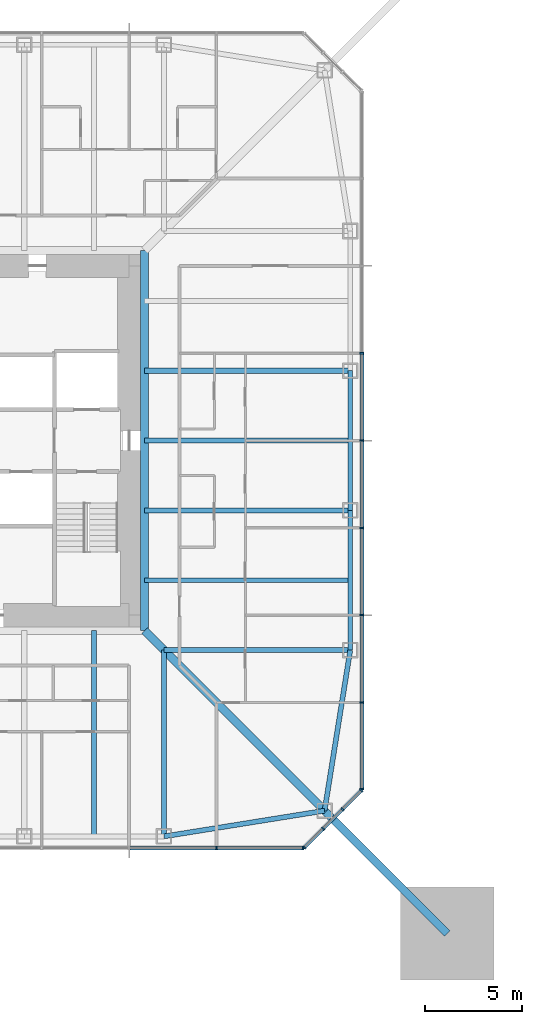
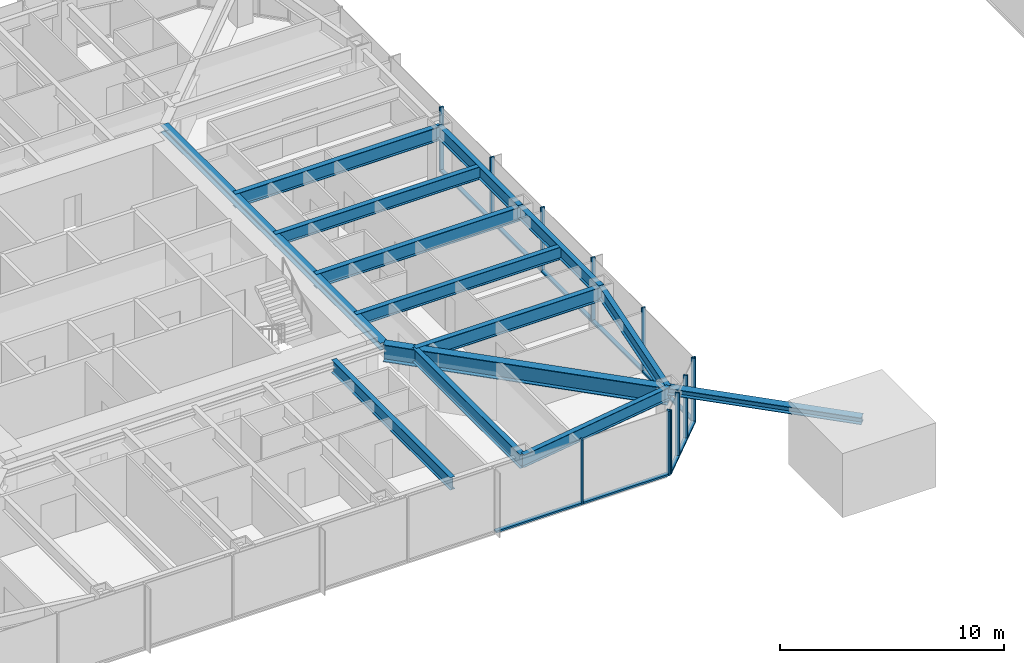
# One storey, part 5 of 25: 23 members, 13 beams, 3 elements without a shape of their own.
"""IFC4 building model written with IfcOpenShell, lengths in metres."""

from ifc_helpers import new_model, si_unit, direction, frame, origin, origin_2d, place, context, subcontext, project, spatial, rectangle, i_section, extrude, material, material_profile, profile_set, type_object, element, aggregate, save


model = new_model("IFC4")

# Units and contexts
model_context = context("Model", 3, precision=1e-05, world=origin(), true_north=direction((0.0, 1.0)))
body_context = subcontext(model_context, "Body", "Model", "MODEL_VIEW")
ifc_project = project(units=[si_unit("LENGTHUNIT", "METRE"), si_unit("AREAUNIT", "SQUARE_METRE"), si_unit("VOLUMEUNIT", "CUBIC_METRE"), si_unit("PLANEANGLEUNIT", "RADIAN"), si_unit("MASSUNIT", "GRAM", prefix="KILO")], contexts=[model_context])

# Site, building, storey
site_placement = place(None, origin())
site = spatial("IfcSite", under=ifc_project, at=site_placement, CompositionType="ELEMENT")
building_placement = place(site_placement, origin())
building = spatial("IfcBuilding", under=site, at=building_placement, Name="Iwan Alto Co-Living Towers", CompositionType="ELEMENT")
storey_placement = place(building_placement, frame((0.0, 0.0, 108.5)))
storey = spatial("IfcBuildingStorey", under=building, at=storey_placement, Name="L29", CompositionType="ELEMENT", Elevation=108.5)

# Curtain wall, members
ifc_material_1 = material(Name="Bronze aluminium unitised frame", Category="aluminium")
curtain_wall_type_1 = type_object("IfcCurtainWallType", Name="CURTAIN WALL CW-A", PredefinedType="NOTDEFINED", material=ifc_material_1)
curtain_wall_1_placement = place(storey_placement, origin())
curtain_wall_1 = element("IfcCurtainWall", 1, at=curtain_wall_1_placement, inside=storey, type_object=curtain_wall_type_1, Name="T1 curtain wall S L29", PredefinedType="NOTDEFINED")
ifc_material_2 = material(Name="Aluminium 6063-T6 bronze anodised", Category="aluminium")
ifc_material_profile_1 = material_profile(ifc_material_2, rectangle(XDim=0.199951171875, YDim=0.080078125, at=origin_2d()), Name="AL 80X200")
ifc_profile_set_1 = profile_set([ifc_material_profile_1], Name="Aluminium 6063-T6 bronze anodised")
member_type_1 = type_object("IfcMemberType", Name="CW-A MULLION 80X200", PredefinedType="MULLION", material=ifc_profile_set_1)
member_1_placement = place(storey_placement, frame((13.5, -21.0, 0.0), z_axis=(0.0, 0.0, 1.0), x_axis=(0.0, 1.0, 0.0)))
member_1 = element("IfcMember", 2, at=member_1_placement, type_object=member_type_1, Name="CW-A mullion 8", PredefinedType="MULLION", context=body_context, shape_type="SweptSolid", body=[
    extrude(rectangle(XDim=0.199951171875, YDim=0.080078125, at=origin_2d()), origin(), (0.0, 0.0, 1.0), 3.5),
])
member_2_placement = place(storey_placement, frame((17.9599609375, -21.0, 0.0), z_axis=(0.0, 0.0, 1.0), x_axis=(0.0, 1.0, 0.0)))
member_2 = element("IfcMember", 3, at=member_2_placement, type_object=member_type_1, Name="CW-A mullion 9", PredefinedType="MULLION", context=body_context, shape_type="SweptSolid", body=[
    extrude(rectangle(XDim=0.199951171875, YDim=0.080078125, at=origin_2d()), origin(), (0.0, 0.0, 1.0), 3.5),
])

curtain_wall_2_placement = place(storey_placement, origin())
curtain_wall_2 = element("IfcCurtainWall", 4, at=curtain_wall_2_placement, inside=storey, type_object=curtain_wall_type_1, Name="T1 curtain wall E L29", PredefinedType="NOTDEFINED")
member_3_placement = place(storey_placement, frame((21.0, -17.9599609375, 0.0), z_axis=(0.0, 0.0, 1.0), x_axis=(-1.0, 0.0, 0.0)))
member_3 = element("IfcMember", 5, at=member_3_placement, type_object=member_type_1, Name="CW-A mullion 1", PredefinedType="MULLION", context=body_context, shape_type="SweptSolid", body=[
    extrude(rectangle(XDim=0.199951171875, YDim=0.080078125, at=origin_2d()), origin(), (0.0, 0.0, 1.0), 3.5),
])
member_4_placement = place(storey_placement, frame((21.0, -13.5, 0.0), z_axis=(0.0, 0.0, 1.0), x_axis=(-1.0, 0.0, 0.0)))
member_4 = element("IfcMember", 6, at=member_4_placement, type_object=member_type_1, Name="CW-A mullion 2", PredefinedType="MULLION", context=body_context, shape_type="SweptSolid", body=[
    extrude(rectangle(XDim=0.199951171875, YDim=0.080078125, at=origin_2d()), origin(), (0.0, 0.0, 1.0), 3.5),
])
member_5_placement = place(storey_placement, frame((21.0, -9.0, 0.0), z_axis=(0.0, 0.0, 1.0), x_axis=(-1.0, 0.0, 0.0)))
member_5 = element("IfcMember", 7, at=member_5_placement, type_object=member_type_1, Name="CW-A mullion 3", PredefinedType="MULLION", context=body_context, shape_type="SweptSolid", body=[
    extrude(rectangle(XDim=0.199951171875, YDim=0.080078125, at=origin_2d()), origin(), (0.0, 0.0, 1.0), 3.5),
])
member_6_placement = place(storey_placement, frame((21.0, -4.5, 0.0), z_axis=(0.0, 0.0, 1.0), x_axis=(-1.0, 0.0, 0.0)))
member_6 = element("IfcMember", 8, at=member_6_placement, type_object=member_type_1, Name="CW-A mullion 4", PredefinedType="MULLION", context=body_context, shape_type="SweptSolid", body=[
    extrude(rectangle(XDim=0.199951171875, YDim=0.080078125, at=origin_2d()), origin(), (0.0, 0.0, 1.0), 3.5),
])
member_7_placement = place(storey_placement, frame((21.0, 0.0, 0.0), z_axis=(0.0, 0.0, 1.0), x_axis=(-1.0, 0.0, 0.0)))
member_7 = element("IfcMember", 9, at=member_7_placement, type_object=member_type_1, Name="CW-A mullion 5", PredefinedType="MULLION", context=body_context, shape_type="SweptSolid", body=[
    extrude(rectangle(XDim=0.199951171875, YDim=0.080078125, at=origin_2d()), origin(), (0.0, 0.0, 1.0), 3.5),
])
member_8_placement = place(storey_placement, frame((21.0, 4.5, 0.0), z_axis=(0.0, 0.0, 1.0), x_axis=(-1.0, 0.0, 0.0)))
member_8 = element("IfcMember", 10, at=member_8_placement, type_object=member_type_1, Name="CW-A mullion 6", PredefinedType="MULLION", context=body_context, shape_type="SweptSolid", body=[
    extrude(rectangle(XDim=0.199951171875, YDim=0.080078125, at=origin_2d()), origin(), (0.0, 0.0, 1.0), 3.5),
])

# Member
ifc_material_3 = material(Name="Aluminium 6063-T6 bronze anodised", Category="aluminium")
ifc_material_profile_2 = material_profile(ifc_material_3, rectangle(XDim=0.199951171875, YDim=0.10009765625, at=origin_2d()), Name="AL 200X100")
ifc_profile_set_2 = profile_set([ifc_material_profile_2], Name="Aluminium 6063-T6 bronze anodised")
member_type_2 = type_object("IfcMemberType", Name="CW-A TRANSOM 200X100", PredefinedType="USERDEFINED", material=ifc_profile_set_2)
member_9_placement = place(storey_placement, frame((9.0400390625, -21.0, 0.050048828125), z_axis=(1.0, 0.0, 0.0), x_axis=(0.0, 1.0, 0.0)))
member_9 = element("IfcMember", 11, at=member_9_placement, type_object=member_type_2, Name="CW-A transom 7.1", ObjectType="TRANSOM", PredefinedType="USERDEFINED", context=body_context, shape_type="SweptSolid", body=[
    extrude(rectangle(XDim=0.199951171875, YDim=0.10009765625, at=origin_2d()), origin(), (0.0, 0.0, 1.0), 4.419921875),
])

member_10_placement = place(storey_placement, frame((13.5400390625, -21.0, 0.050048828125), z_axis=(1.0, 0.0, 0.0), x_axis=(0.0, 1.0, 0.0)))
member_10 = element("IfcMember", 12, at=member_10_placement, type_object=member_type_2, Name="CW-A transom 8.1", ObjectType="TRANSOM", PredefinedType="USERDEFINED", context=body_context, shape_type="SweptSolid", body=[
    extrude(rectangle(XDim=0.199951171875, YDim=0.10009765625, at=origin_2d()), origin(), (0.0, 0.0, 1.0), 4.3798828125),
])

aggregate(curtain_wall_1, [member_1, member_2, member_9, member_10])

member_11_placement = place(storey_placement, frame((21.0, -17.919921875, 0.050048828125), z_axis=(0.0, 1.0, 0.0), x_axis=(-1.0, 0.0, 0.0)))
member_11 = element("IfcMember", 13, at=member_11_placement, type_object=member_type_2, Name="CW-A transom 1.1", ObjectType="TRANSOM", PredefinedType="USERDEFINED", context=body_context, shape_type="SweptSolid", body=[
    extrude(rectangle(XDim=0.199951171875, YDim=0.10009765625, at=origin_2d()), origin(), (0.0, 0.0, 1.0), 4.3798828125),
])

member_12_placement = place(storey_placement, frame((21.0, -13.4599609375, 0.050048828125), z_axis=(0.0, 1.0, 0.0), x_axis=(-1.0, 0.0, 0.0)))
member_12 = element("IfcMember", 14, at=member_12_placement, type_object=member_type_2, Name="CW-A transom 2.1", ObjectType="TRANSOM", PredefinedType="USERDEFINED", context=body_context, shape_type="SweptSolid", body=[
    extrude(rectangle(XDim=0.199951171875, YDim=0.10009765625, at=origin_2d()), origin(), (0.0, 0.0, 1.0), 4.419921875),
])

member_13_placement = place(storey_placement, frame((21.0, -8.9599609375, 0.050048828125), z_axis=(0.0, 1.0, 0.0), x_axis=(-1.0, 0.0, 0.0)))
member_13 = element("IfcMember", 15, at=member_13_placement, type_object=member_type_2, Name="CW-A transom 3.1", ObjectType="TRANSOM", PredefinedType="USERDEFINED", context=body_context, shape_type="SweptSolid", body=[
    extrude(rectangle(XDim=0.199951171875, YDim=0.10009765625, at=origin_2d()), origin(), (0.0, 0.0, 1.0), 4.419921875),
])

member_14_placement = place(storey_placement, frame((21.0, -4.4599609375, 0.050048828125), z_axis=(0.0, 1.0, 0.0), x_axis=(-1.0, 0.0, 0.0)))
member_14 = element("IfcMember", 16, at=member_14_placement, type_object=member_type_2, Name="CW-A transom 4.1", ObjectType="TRANSOM", PredefinedType="USERDEFINED", context=body_context, shape_type="SweptSolid", body=[
    extrude(rectangle(XDim=0.199951171875, YDim=0.10009765625, at=origin_2d()), origin(), (0.0, 0.0, 1.0), 4.419921875),
])

member_15_placement = place(storey_placement, frame((21.0, 0.0400390625, 0.050048828125), z_axis=(0.0, 1.0, 0.0), x_axis=(-1.0, 0.0, 0.0)))
member_15 = element("IfcMember", 17, at=member_15_placement, type_object=member_type_2, Name="CW-A transom 5.1", ObjectType="TRANSOM", PredefinedType="USERDEFINED", context=body_context, shape_type="SweptSolid", body=[
    extrude(rectangle(XDim=0.199951171875, YDim=0.10009765625, at=origin_2d()), origin(), (0.0, 0.0, 1.0), 4.419921875),
])

aggregate(curtain_wall_2, [member_3, member_4, member_5, member_6, member_7, member_8, member_11, member_12, member_13, member_14, member_15])

# Curtain wall, members
ifc_material_4 = material(Name="Bronze aluminium unitised frame", Category="aluminium")
curtain_wall_type_2 = type_object("IfcCurtainWallType", Name="CURTAIN WALL CW-B", PredefinedType="NOTDEFINED", material=ifc_material_4)
curtain_wall_3_placement = place(storey_placement, origin())
curtain_wall_3 = element("IfcCurtainWall", 18, at=curtain_wall_3_placement, inside=storey, type_object=curtain_wall_type_2, Name="T1 chamfer curtain wall SE L29", PredefinedType="NOTDEFINED")
ifc_material_5 = material(Name="Aluminium 6063-T6 bronze anodised", Category="aluminium")
ifc_material_profile_3 = material_profile(ifc_material_5, rectangle(XDim=0.199951171875, YDim=0.080078125, at=origin_2d()), Name="AL 80X200")
ifc_profile_set_3 = profile_set([ifc_material_profile_3], Name="Aluminium 6063-T6 bronze anodised")
member_type_3 = type_object("IfcMemberType", Name="CW-B MULLION 80X200", PredefinedType="MULLION", material=ifc_profile_set_3)
member_16_placement = place(storey_placement, frame((18.0283203125, -20.9716796875, 0.0), z_axis=(0.0, 0.0, 1.0), x_axis=(-0.707106781187, 0.707106781187, 0.0)))
member_16 = element("IfcMember", 19, at=member_16_placement, type_object=member_type_3, Name="CW-B mullion 1", PredefinedType="MULLION", context=body_context, shape_type="SweptSolid", body=[
    extrude(rectangle(XDim=0.199951171875, YDim=0.080078125, at=origin_2d()), origin(), (0.0, 0.0, 1.0), 3.5),
])
member_17_placement = place(storey_placement, frame((19.0, -20.0, 0.0), z_axis=(0.0, 0.0, 1.0), x_axis=(-0.707106781187, 0.707106781187, 0.0)))
member_17 = element("IfcMember", 20, at=member_17_placement, type_object=member_type_3, Name="CW-B mullion 2", PredefinedType="MULLION", context=body_context, shape_type="SweptSolid", body=[
    extrude(rectangle(XDim=0.199951171875, YDim=0.080078125, at=origin_2d()), origin(), (0.0, 0.0, 1.0), 3.5),
])
member_18_placement = place(storey_placement, frame((20.0, -19.0, 0.0), z_axis=(0.0, 0.0, 1.0), x_axis=(-0.707106781187, 0.707106781187, 0.0)))
member_18 = element("IfcMember", 21, at=member_18_placement, type_object=member_type_3, Name="CW-B mullion 3", PredefinedType="MULLION", context=body_context, shape_type="SweptSolid", body=[
    extrude(rectangle(XDim=0.199951171875, YDim=0.080078125, at=origin_2d()), origin(), (0.0, 0.0, 1.0), 3.5),
])
member_19_placement = place(storey_placement, frame((20.9716796875, -18.0283203125, 0.0), z_axis=(0.0, 0.0, 1.0), x_axis=(-0.707106781187, 0.707106781187, 0.0)))
member_19 = element("IfcMember", 22, at=member_19_placement, type_object=member_type_3, Name="CW-B mullion 4", PredefinedType="MULLION", context=body_context, shape_type="SweptSolid", body=[
    extrude(rectangle(XDim=0.199951171875, YDim=0.080078125, at=origin_2d()), origin(), (0.0, 0.0, 1.0), 3.5),
])
ifc_material_6 = material(Name="Aluminium 6063-T6 bronze anodised", Category="aluminium")
ifc_material_profile_4 = material_profile(ifc_material_6, rectangle(XDim=0.199951171875, YDim=0.10009765625, at=origin_2d()), Name="AL 200X100")
ifc_profile_set_4 = profile_set([ifc_material_profile_4], Name="Aluminium 6063-T6 bronze anodised")
member_type_4 = type_object("IfcMemberType", Name="CW-B TRANSOM 200X100", PredefinedType="USERDEFINED", material=ifc_profile_set_4)
member_20_placement = place(storey_placement, frame((18.056640625, -20.943359375, 0.050048828125), z_axis=(0.707106781187, 0.707106781187, 0.0), x_axis=(-0.707106781187, 0.707106781187, 0.0)))
member_20 = element("IfcMember", 23, at=member_20_placement, type_object=member_type_4, Name="CW-B transom 1.1", ObjectType="TRANSOM", PredefinedType="USERDEFINED", context=body_context, shape_type="SweptSolid", body=[
    extrude(rectangle(XDim=0.199951171875, YDim=0.10009765625, at=origin_2d()), origin(), (0.0, 0.0, 1.0), 1.2939453125),
])
member_21_placement = place(storey_placement, frame((19.0283203125, -19.9716796875, 0.050048828125), z_axis=(0.707106781187, 0.707106781187, 0.0), x_axis=(-0.707106781187, 0.707106781187, 0.0)))
member_21 = element("IfcMember", 24, at=member_21_placement, type_object=member_type_4, Name="CW-B transom 2.1", ObjectType="TRANSOM", PredefinedType="USERDEFINED", context=body_context, shape_type="SweptSolid", body=[
    extrude(rectangle(XDim=0.199951171875, YDim=0.10009765625, at=origin_2d()), origin(), (0.0, 0.0, 1.0), 1.334228515625),
])
member_22_placement = place(storey_placement, frame((20.0283203125, -18.9716796875, 0.050048828125), z_axis=(0.707106781187, 0.707106781187, 0.0), x_axis=(-0.707106781187, 0.707106781187, 0.0)))
member_22 = element("IfcMember", 25, at=member_22_placement, type_object=member_type_4, Name="CW-B transom 3.1", ObjectType="TRANSOM", PredefinedType="USERDEFINED", context=body_context, shape_type="SweptSolid", body=[
    extrude(rectangle(XDim=0.199951171875, YDim=0.10009765625, at=origin_2d()), origin(), (0.0, 0.0, 1.0), 1.2939453125),
])
aggregate(curtain_wall_3, [member_16, member_17, member_18, member_19, member_20, member_21, member_22])

# Beams
ifc_material_7 = material(Name="Steel ASTM A992 Gr 50", Category="steel")
ifc_material_profile_5 = material_profile(ifc_material_7, i_section(OverallWidth=0.398681640625, OverallDepth=0.385986328125, WebThickness=0.02099609375, FlangeThickness=0.033203125, at=origin_2d()), Name="W14X176")
ifc_profile_set_5 = profile_set([ifc_material_profile_5], Name="Steel ASTM A992 Gr 50")
beam_type_1 = type_object("IfcBeamType", Name="T1 CORE LEDGER BEAM W14X176", PredefinedType="BEAM", material=ifc_profile_set_5)
beam_1_placement = place(storey_placement, frame((9.79931640625, -9.79931640625, 3.076904296875), z_axis=(0.0, 1.0, 0.0), x_axis=(-1.0, 0.0, 0.0)))
element("IfcBeam", 26, at=beam_1_placement, inside=storey, type_object=beam_type_1, Name="T1 core ledger beam E L30", PredefinedType="BEAM", context=body_context, shape_type="SweptSolid", body=[
    extrude(i_section(OverallWidth=0.398681640625, OverallDepth=0.385986328125, WebThickness=0.02099609375, FlangeThickness=0.033203125, at=origin_2d()), origin(), (0.0, 0.0, 1.0), 19.5986328125),
])
ifc_material_8 = material(Name="Steel ASTM A992 Gr 50", Category="steel")
ifc_material_profile_6 = material_profile(ifc_material_8, i_section(OverallWidth=0.419189453125, OverallDepth=0.927001953125, WebThickness=0.019287109375, FlangeThickness=0.031982421875, at=origin_2d()), Name="W36X231")
ifc_profile_set_6 = profile_set([ifc_material_profile_6], Name="Steel ASTM A992 Gr 50")
beam_type_2 = type_object("IfcBeamType", Name="T1 CORNER GIRDER W36X231", PredefinedType="BEAM", material=ifc_profile_set_6)
beam_2_placement = place(storey_placement, frame((19.07568359375, -19.07568359375, 2.806396484375), z_axis=(-0.707106781187, 0.707106781187, 0.0), x_axis=(-0.707106781187, -0.707106781187, 0.0)))
element("IfcBeam", 27, at=beam_2_placement, inside=storey, type_object=beam_type_2, Name="T1 corner girder CSE L30", PredefinedType="BEAM", context=body_context, shape_type="SweptSolid", body=[
    extrude(i_section(OverallWidth=0.419189453125, OverallDepth=0.927001953125, WebThickness=0.019287109375, FlangeThickness=0.031982421875, at=origin_2d()), origin(), (0.0, 0.0, 1.0), 13.11865234375),
])
ifc_material_9 = material(Name="Steel ASTM A992 Gr 50", Category="steel")
ifc_material_profile_7 = material_profile(ifc_material_9, i_section(OverallWidth=0.25390625, OverallDepth=0.683349609375, WebThickness=0.012451171875, FlangeThickness=0.018798828125, at=origin_2d()), Name="W27X94")
ifc_profile_set_7 = profile_set([ifc_material_profile_7], Name="Steel ASTM A992 Gr 50")
beam_type_3 = type_object("IfcBeamType", Name="T1 EDGE BEAM W27X94", PredefinedType="BEAM", material=ifc_profile_set_7)
for number, where, z_axis, x_axis, name in (
    (28, (10.800048828125, -20.39990234375, 2.928466796875), (0.987438450439, 0.158004134737, 0.0), (-0.158004134737, 0.987438450439, 0.0), "T1 edge beam S4 L30"),
    (29, (19.07568359375, -19.07568359375, 2.928466796875), (0.158004134737, 0.987438450439, 0.0), (-0.987438450439, 0.158004134737, 0.0), "T1 edge beam CSE L30"),
):
    element("IfcBeam", number, at=place(storey_placement, frame(where, z_axis=z_axis, x_axis=x_axis)), inside=storey, type_object=beam_type_3, Name=name, PredefinedType="BEAM", context=body_context, shape_type="SweptSolid", body=[
        extrude(i_section(OverallWidth=0.25390625, OverallDepth=0.683349609375, WebThickness=0.012451171875, FlangeThickness=0.018798828125, at=origin_2d()), origin(), (0.0, 0.0, 1.0), 8.380859375),
    ])
beam_3_placement = place(storey_placement, frame((20.39990234375, -10.800048828125, 2.928466796875), z_axis=(0.0, 1.0, 0.0), x_axis=(-1.0, 0.0, 0.0)))
element("IfcBeam", 30, at=beam_3_placement, inside=storey, type_object=beam_type_3, Name="T1 edge beam E1 L30", PredefinedType="BEAM", context=body_context, shape_type="SweptSolid", body=[
    extrude(i_section(OverallWidth=0.25390625, OverallDepth=0.683349609375, WebThickness=0.012451171875, FlangeThickness=0.018798828125, at=origin_2d()), origin(), (0.0, 0.0, 1.0), 7.199951171875),
])
beam_4_placement = place(storey_placement, frame((20.39990234375, -3.60009765625, 2.928466796875), z_axis=(0.0, 1.0, 0.0), x_axis=(-1.0, 0.0, 0.0)))
element("IfcBeam", 31, at=beam_4_placement, inside=storey, type_object=beam_type_3, Name="T1 edge beam E2 L30", PredefinedType="BEAM", context=body_context, shape_type="SweptSolid", body=[
    extrude(i_section(OverallWidth=0.25390625, OverallDepth=0.683349609375, WebThickness=0.012451171875, FlangeThickness=0.018798828125, at=origin_2d()), origin(), (0.0, 0.0, 1.0), 7.2001953125),
])

# Member
ifc_material_10 = material(Name="Steel ASTM A992 Gr 50", Category="steel")
ifc_material_profile_8 = material_profile(ifc_material_10, i_section(OverallWidth=0.393798828125, OverallDepth=0.3759765625, WebThickness=0.017333984375, FlangeThickness=0.027587890625, at=origin_2d()), Name="W14X145")
ifc_profile_set_8 = profile_set([ifc_material_profile_8], Name="Steel ASTM A992 Gr 50")
member_type_5 = type_object("IfcMemberType", Name="T1 MEGA COLUMN FLOOR TIE W14X145", PredefinedType="STRUT", material=ifc_profile_set_8)
member_23_placement = place(storey_placement, frame((25.39990234375, -25.39990234375, 3.08203125), z_axis=(-0.707106781187, 0.707106781187, 0.0), x_axis=(-0.707106781187, -0.707106781187, 0.0)))
element("IfcMember", 32, at=member_23_placement, inside=storey, type_object=member_type_5, Name="T1 mega column floor tie SE L30", PredefinedType="STRUT", context=body_context, shape_type="SweptSolid", body=[
    extrude(i_section(OverallWidth=0.393798828125, OverallDepth=0.3759765625, WebThickness=0.017333984375, FlangeThickness=0.027587890625, at=origin_2d()), origin(), (0.0, 0.0, 1.0), 8.94384765625),
])

# Beams
ifc_material_11 = material(Name="Steel ASTM A992 Gr 50", Category="steel")
ifc_material_profile_9 = material_profile(ifc_material_11, i_section(OverallWidth=0.2666015625, OverallDepth=0.761962890625, WebThickness=0.014404296875, FlangeThickness=0.021484375, at=origin_2d()), Name="W30X116")
ifc_profile_set_9 = profile_set([ifc_material_profile_9], Name="Steel ASTM A992 Gr 50")
beam_type_4 = type_object("IfcBeamType", Name="T1 RADIAL BEAM W30X116", PredefinedType="BEAM", material=ifc_profile_set_9)
for number, where, z_axis, x_axis, name in (
    (33, (10.800048828125, -20.39990234375, 2.888916015625), (0.0, 1.0, 0.0), (-1.0, 0.0, 0.0), "T1 radial beam S4 L30"),
    (34, (20.39990234375, -10.800048828125, 2.888916015625), (-1.0, 0.0, 0.0), (0.0, -1.0, 0.0), "T1 radial beam E1 L30"),
):
    element("IfcBeam", number, at=place(storey_placement, frame(where, z_axis=z_axis, x_axis=x_axis)), inside=storey, type_object=beam_type_4, Name=name, PredefinedType="BEAM", context=body_context, shape_type="SweptSolid", body=[
        extrude(i_section(OverallWidth=0.2666015625, OverallDepth=0.761962890625, WebThickness=0.014404296875, FlangeThickness=0.021484375, at=origin_2d()), origin(), (0.0, 0.0, 1.0), 9.599853515625),
    ])
for number, where, z_axis, x_axis, name in (
    (35, (20.39990234375, -3.60009765625, 2.888916015625), (-1.0, 0.0, 0.0), (0.0, -1.0, 0.0), "T1 radial beam E2 L30"),
    (36, (20.39990234375, 3.60009765625, 2.888916015625), (-1.0, 0.0, 0.0), (0.0, -1.0, 0.0), "T1 radial beam E3 L30"),
):
    element("IfcBeam", number, at=place(storey_placement, frame(where, z_axis=z_axis, x_axis=x_axis)), inside=storey, type_object=beam_type_4, Name=name, PredefinedType="BEAM", context=body_context, shape_type="SweptSolid", body=[
        extrude(i_section(OverallWidth=0.2666015625, OverallDepth=0.761962890625, WebThickness=0.014404296875, FlangeThickness=0.021484375, at=origin_2d()), origin(), (0.0, 0.0, 1.0), 10.6005859375),
    ])
ifc_material_12 = material(Name="Steel ASTM A992 Gr 50", Category="steel")
ifc_material_profile_10 = material_profile(ifc_material_12, i_section(OverallWidth=0.25390625, OverallDepth=0.683349609375, WebThickness=0.012451171875, FlangeThickness=0.018798828125, at=origin_2d()), Name="W27X94")
ifc_profile_set_10 = profile_set([ifc_material_profile_10], Name="Steel ASTM A992 Gr 50")
beam_type_5 = type_object("IfcBeamType", Name="T1 SECONDARY BEAM W27X94", PredefinedType="JOIST", material=ifc_profile_set_10)
for number, where, z_axis, x_axis, name in (
    (37, (7.199951171875, -20.39990234375, 2.928466796875), (0.0, 1.0, 0.0), (-1.0, 0.0, 0.0), "T1 secondary beam S3 L30"),
    (38, (20.39990234375, -7.199951171875, 2.928466796875), (-1.0, 0.0, 0.0), (0.0, -1.0, 0.0), "T1 secondary beam E1 L30"),
    (39, (20.39990234375, 0.0, 2.928466796875), (-1.0, 0.0, 0.0), (0.0, -1.0, 0.0), "T1 secondary beam E2 L30"),
):
    element("IfcBeam", number, at=place(storey_placement, frame(where, z_axis=z_axis, x_axis=x_axis)), inside=storey, type_object=beam_type_5, Name=name, PredefinedType="JOIST", context=body_context, shape_type="SweptSolid", body=[
        extrude(i_section(OverallWidth=0.25390625, OverallDepth=0.683349609375, WebThickness=0.012451171875, FlangeThickness=0.018798828125, at=origin_2d()), origin(), (0.0, 0.0, 1.0), 10.6005859375),
    ])

save(model, "model.ifc")
